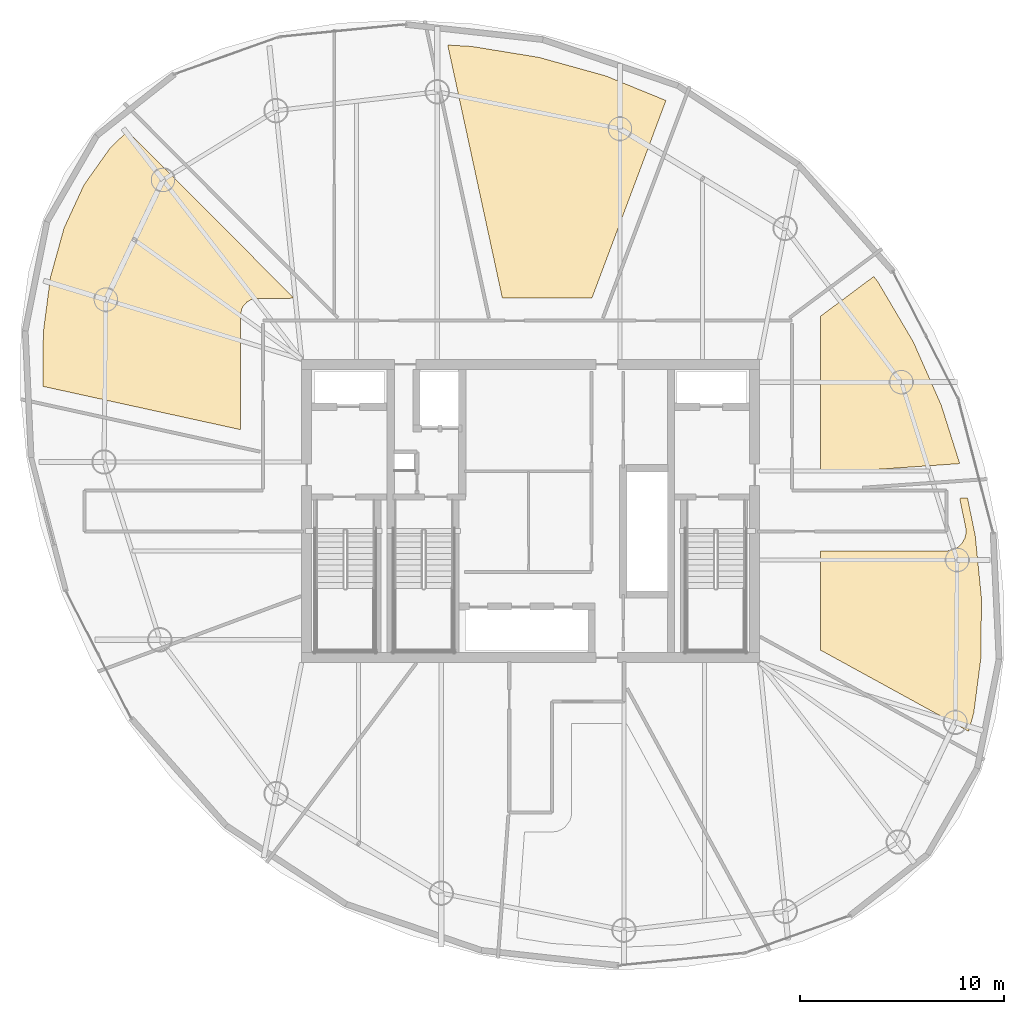
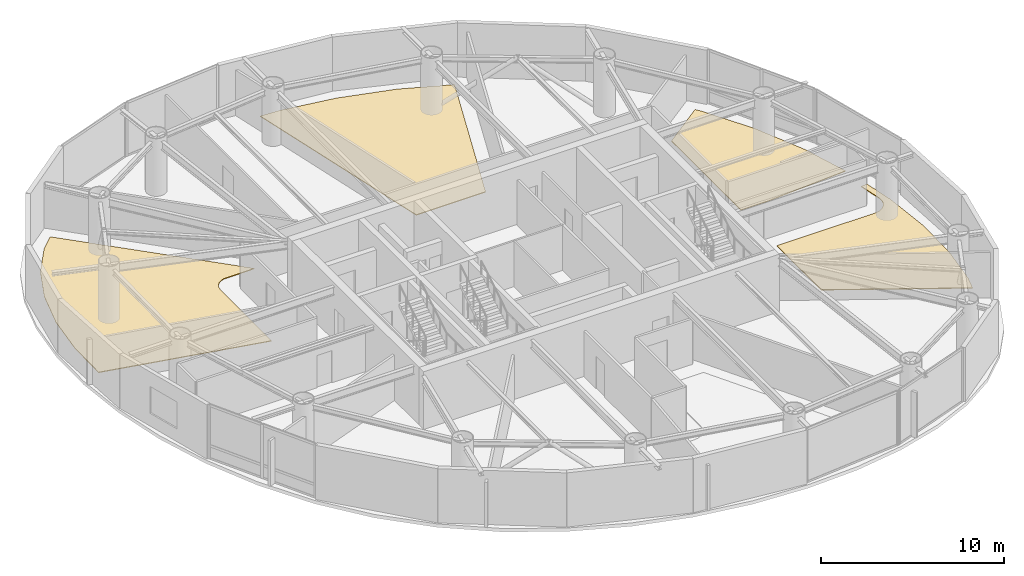
# One storey, part 23 of 23: 4 coverings.
"""IFC4 building model written with IfcOpenShell, lengths in metres."""

from ifc_helpers import new_model, si_unit, direction, frame, origin, place, context, subcontext, project, spatial, polyline, outline, extrude, material, layer, layer_set, type_object, element, save


model = new_model("IFC4")

# Units and contexts
model_context = context("Model", 3, precision=1e-05, world=origin(), true_north=direction((0.0, 1.0)))
body_context = subcontext(model_context, "Body", "Model", "MODEL_VIEW")
ifc_project = project(units=[si_unit("LENGTHUNIT", "METRE"), si_unit("AREAUNIT", "SQUARE_METRE"), si_unit("VOLUMEUNIT", "CUBIC_METRE"), si_unit("PLANEANGLEUNIT", "RADIAN"), si_unit("MASSUNIT", "GRAM", prefix="KILO")], contexts=[model_context])

# Site, building, storey
site_placement = place(None, origin())
site = spatial("IfcSite", under=ifc_project, at=site_placement, CompositionType="ELEMENT")
building_placement = place(site_placement, origin())
building = spatial("IfcBuilding", under=site, at=building_placement, Name="Bramvorn Convention Spire", CompositionType="ELEMENT")
storey_placement = place(building_placement, frame((0.0, 0.0, 194.300048828125)))
storey = spatial("IfcBuildingStorey", under=building, at=storey_placement, Name="L49", CompositionType="ELEMENT", Elevation=194.300048828125)

# Coverings
ifc_material = material(Name="Calcium-Sulphate Raised Access Office Floor", Category="steel")
ifc_layer = layer(ifc_material, 0.044921875)
ifc_layer_set = layer_set([ifc_layer], Name="Calcium-Sulphate Raised Access Office Floor - FLR-RAISED-45")
covering_type = type_object("IfcCoveringType", Name="FLR-RAISED-45", PredefinedType="FLOORING", material=ifc_layer_set)
covering_1_placement = place(storey_placement, origin())
element("IfcCovering", 1, at=covering_1_placement, inside=storey, type_object=covering_type, Name="L49 Archive & Document Store 1 1 raised floor finish", PredefinedType="FLOORING", context=body_context, shape_type="SweptSolid", body=[
    extrude(outline(polyline([(52.25, 27.969970703125), (53.987060546875, 27.969970703125), (59.078369140625, 28.325927734375), (58.172607421875, 31.190673828125), (56.80029296875, 34.302490234375), (55.064697265625, 37.2470703125), (54.856201171875, 37.516357421875), (52.25, 35.57177734375), (52.25, 27.969970703125)])), origin(), (0.0, 0.0, 1.0), 0.044921875),
])
covering_2_placement = place(storey_placement, origin())
element("IfcCovering", 2, at=covering_2_placement, inside=storey, type_object=covering_type, Name="L49 Archive & Print Store 3 3 raised floor finish", PredefinedType="FLOORING", context=body_context, shape_type="SweptSolid", body=[
    extrude(outline(polyline([(35.1025390625, 48.818603515625), (33.928955078125, 48.885986328125), (36.61376953125, 36.449951171875), (41.0087890625, 36.449951171875), (44.648681640625, 46.16162109375), (41.68603515625, 47.371826171875), (38.40869140625, 48.280517578125), (35.1025390625, 48.818603515625)])), origin(), (0.0, 0.0, 1.0), 0.044921875),
])
covering_3_placement = place(storey_placement, origin())
element("IfcCovering", 3, at=covering_3_placement, inside=storey, type_object=covering_type, Name="L49 Partner Private Office 2 5 raised floor finish", PredefinedType="FLOORING", context=body_context, shape_type="SweptSolid", body=[
    extrude(outline(polyline([(23.75, 29.993896484375), (23.75, 35.60009765625), (23.814697265625, 35.92529296875), (23.893310546875, 36.072265625), (24.060791015625, 36.257080078125), (24.274658203125, 36.38525390625), (24.43408203125, 36.43359375), (26.3828125, 36.449951171875), (18.20556640625, 44.6533203125), (17.360107421875, 43.847412109375), (16.064208984375, 42.02001953125), (15.08349609375, 39.89697265625), (14.41552734375, 37.4775390625), (14.06494140625, 34.78271484375), (14.041748046875, 32.121826171875), (23.75, 29.993896484375)])), origin(), (0.0, 0.0, 1.0), 0.044921875),
])
covering_4_placement = place(storey_placement, origin())
element("IfcCovering", 4, at=covering_4_placement, inside=storey, type_object=covering_type, Name="L49 Archive & Document Store 1 11 raised floor finish", PredefinedType="FLOORING", context=body_context, shape_type="SweptSolid", body=[
    extrude(outline(polyline([(59.376708984375, 25.15380859375), (59.3798828125, 24.8681640625), (59.331787109375, 24.67138671875), (59.1962890625, 24.419921875), (58.993896484375, 24.21875), (58.75244140625, 24.089111328125), (58.419189453125, 24.030029296875), (52.25, 24.030029296875), (52.25, 19.15869140625), (59.51611328125, 15.17626953125), (59.76904296875, 16.09228515625), (60.11962890625, 18.787109375), (60.145263671875, 21.71337890625), (59.83642578125, 24.80908203125), (59.458984375, 26.6484375), (59.07666015625, 26.62158203125), (59.376708984375, 25.15380859375)])), origin(), (0.0, 0.0, 1.0), 0.044921875),
])

save(model, "model.ifc")
